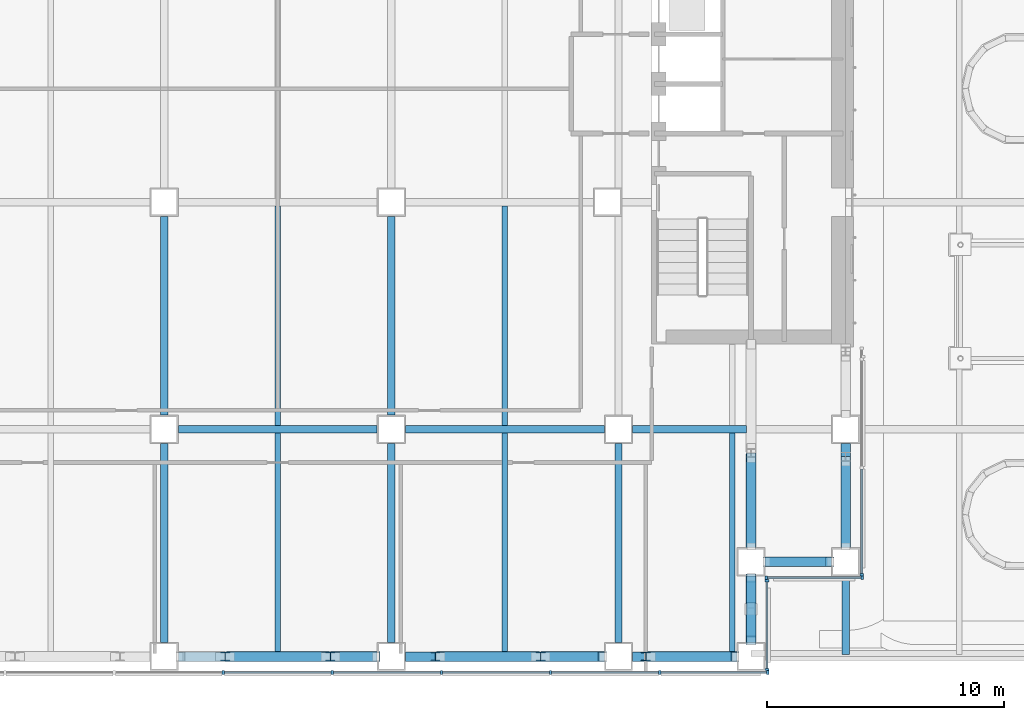
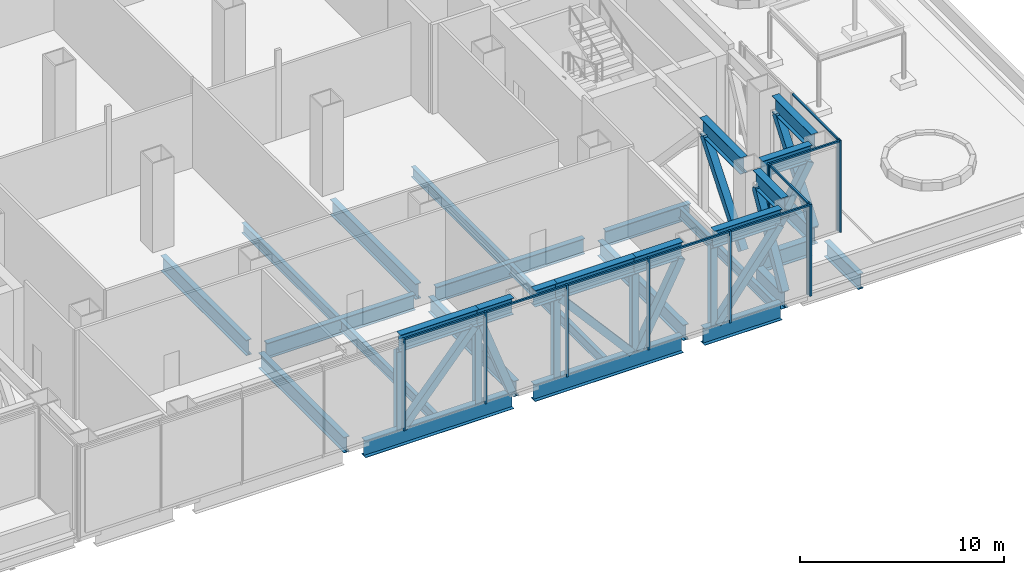
# One storey, part 9 of 39: 51 members, 14 beams, 4 elements without a shape of their own.
"""IFC4 building model written with IfcOpenShell, lengths in metres."""

from ifc_helpers import new_model, si_unit, direction, frame, origin, origin_2d, place, context, subcontext, project, spatial, rectangle, hollow_rectangle, i_section, extrude, material, material_profile, profile_set, type_object, element, aggregate, save


model = new_model("IFC4")

# Units and contexts
model_context = context("Model", 3, precision=1e-05, world=origin(), true_north=direction((0.0, 1.0)))
body_context = subcontext(model_context, "Body", "Model", "MODEL_VIEW")
ifc_project = project(units=[si_unit("LENGTHUNIT", "METRE"), si_unit("AREAUNIT", "SQUARE_METRE"), si_unit("VOLUMEUNIT", "CUBIC_METRE"), si_unit("PLANEANGLEUNIT", "RADIAN"), si_unit("MASSUNIT", "GRAM", prefix="KILO")], contexts=[model_context])

# Site, building, storey
site_placement = place(None, origin())
site = spatial("IfcSite", under=ifc_project, at=site_placement, CompositionType="ELEMENT")
building_placement = place(site_placement, origin())
building = spatial("IfcBuilding", under=site, at=building_placement, Name="Cobrizo Arcos Hotel Tower", CompositionType="ELEMENT")
storey_placement = place(building_placement, frame((0.0, 0.0, 33.5)))
storey = spatial("IfcBuildingStorey", under=building, at=storey_placement, Name="L06", CompositionType="ELEMENT", Elevation=33.5)

# Curtain wall, members
ifc_material_1 = material(Name="Aluminium 6063-T6 anodised bronze", Category="aluminium")
curtain_wall_type = type_object("IfcCurtainWallType", Name="CW-D plant louvre wall", PredefinedType="NOTDEFINED", material=ifc_material_1)
curtain_wall_1_placement = place(storey_placement, origin())
curtain_wall_1 = element("IfcCurtainWall", 1, at=curtain_wall_1_placement, inside=storey, type_object=curtain_wall_type, Name="CW-D L06 S face", PredefinedType="NOTDEFINED")
ifc_material_profile_1 = material_profile(ifc_material_1, rectangle(XDim=0.14990234375, YDim=0.10009765625, at=origin_2d()), Name="CW-D mullion 150x100")
ifc_profile_set_1 = profile_set([ifc_material_profile_1], Name="Aluminium 6063-T6 anodised bronze")
member_type_1 = type_object("IfcMemberType", Name="CW-D mullion 150x100", PredefinedType="MULLION", material=ifc_profile_set_1)
member_1_placement = place(storey_placement, frame((-2.3056640625, -24.675048828125, 0.0), z_axis=(0.0, 0.0, 1.0), x_axis=(0.0, -1.0, 0.0)))
member_1 = element("IfcMember", 2, at=member_1_placement, type_object=member_type_1, Name="CW-D mullion 5", PredefinedType="MULLION", context=body_context, shape_type="SweptSolid", body=[
    extrude(rectangle(XDim=0.14990234375, YDim=0.10009765625, at=origin_2d()), origin(), (0.0, 0.0, 1.0), 5.5),
])
member_2_placement = place(storey_placement, frame((2.3056640625, -24.675048828125, 0.0), z_axis=(0.0, 0.0, 1.0), x_axis=(0.0, -1.0, 0.0)))
member_2 = element("IfcMember", 3, at=member_2_placement, type_object=member_type_1, Name="CW-D mullion 6", PredefinedType="MULLION", context=body_context, shape_type="SweptSolid", body=[
    extrude(rectangle(XDim=0.14990234375, YDim=0.10009765625, at=origin_2d()), origin(), (0.0, 0.0, 1.0), 5.5),
])
member_3_placement = place(storey_placement, frame((6.916748046875, -24.675048828125, 0.0), z_axis=(0.0, 0.0, 1.0), x_axis=(0.0, -1.0, 0.0)))
member_3 = element("IfcMember", 4, at=member_3_placement, type_object=member_type_1, Name="CW-D mullion 7", PredefinedType="MULLION", context=body_context, shape_type="SweptSolid", body=[
    extrude(rectangle(XDim=0.14990234375, YDim=0.10009765625, at=origin_2d()), origin(), (0.0, 0.0, 1.0), 5.5),
])
member_4_placement = place(storey_placement, frame((11.52783203125, -24.675048828125, 0.0), z_axis=(0.0, 0.0, 1.0), x_axis=(0.0, -1.0, 0.0)))
member_4 = element("IfcMember", 5, at=member_4_placement, type_object=member_type_1, Name="CW-D mullion 8", PredefinedType="MULLION", context=body_context, shape_type="SweptSolid", body=[
    extrude(rectangle(XDim=0.14990234375, YDim=0.10009765625, at=origin_2d()), origin(), (0.0, 0.0, 1.0), 5.5),
])
member_5_placement = place(storey_placement, frame((16.138916015625, -24.675048828125, 0.0), z_axis=(0.0, 0.0, 1.0), x_axis=(0.0, -1.0, 0.0)))
member_5 = element("IfcMember", 6, at=member_5_placement, type_object=member_type_1, Name="CW-D mullion 9", PredefinedType="MULLION", context=body_context, shape_type="SweptSolid", body=[
    extrude(rectangle(XDim=0.14990234375, YDim=0.10009765625, at=origin_2d()), origin(), (0.0, 0.0, 1.0), 5.5),
])
member_6_placement = place(storey_placement, frame((20.699951171875, -24.675048828125, 0.0), z_axis=(0.0, 0.0, 1.0), x_axis=(0.0, -1.0, 0.0)))
member_6 = element("IfcMember", 7, at=member_6_placement, type_object=member_type_1, Name="CW-D mullion 10", PredefinedType="MULLION", context=body_context, shape_type="SweptSolid", body=[
    extrude(rectangle(XDim=0.14990234375, YDim=0.10009765625, at=origin_2d()), origin(), (0.0, 0.0, 1.0), 5.5),
])

curtain_wall_2_placement = place(storey_placement, origin())
curtain_wall_2 = element("IfcCurtainWall", 8, at=curtain_wall_2_placement, inside=storey, type_object=curtain_wall_type, Name="CW-D L06 E face", PredefinedType="NOTDEFINED")
member_7_placement = place(storey_placement, frame((20.675048828125, -24.550048828125, 0.0), z_axis=(0.0, 0.0, 1.0), x_axis=(1.0, 0.0, 0.0)))
member_7 = element("IfcMember", 9, at=member_7_placement, type_object=member_type_1, Name="CW-D mullion 1", PredefinedType="MULLION", context=body_context, shape_type="SweptSolid", body=[
    extrude(rectangle(XDim=0.14990234375, YDim=0.10009765625, at=origin_2d()), origin(), (0.0, 0.0, 1.0), 5.5),
])
member_8_placement = place(storey_placement, frame((20.675048828125, -20.800048828125, 0.0), z_axis=(0.0, 0.0, 1.0), x_axis=(1.0, 0.0, 0.0)))
member_8 = element("IfcMember", 10, at=member_8_placement, type_object=member_type_1, Name="CW-D mullion 2", PredefinedType="MULLION", context=body_context, shape_type="SweptSolid", body=[
    extrude(rectangle(XDim=0.14990234375, YDim=0.10009765625, at=origin_2d()), origin(), (0.0, 0.0, 1.0), 5.5),
])

curtain_wall_3_placement = place(storey_placement, origin())
curtain_wall_3 = element("IfcCurtainWall", 11, at=curtain_wall_3_placement, inside=storey, type_object=curtain_wall_type, Name="CW-D L06 S face", PredefinedType="NOTDEFINED")
member_9_placement = place(storey_placement, frame((20.64990234375, -20.675048828125, 0.0), z_axis=(0.0, 0.0, 1.0), x_axis=(0.0, -1.0, 0.0)))
member_9 = element("IfcMember", 12, at=member_9_placement, type_object=member_type_1, Name="CW-D mullion 1", PredefinedType="MULLION", context=body_context, shape_type="SweptSolid", body=[
    extrude(rectangle(XDim=0.14990234375, YDim=0.10009765625, at=origin_2d()), origin(), (0.0, 0.0, 1.0), 5.5),
])
member_10_placement = place(storey_placement, frame((24.699951171875, -20.675048828125, 0.0), z_axis=(0.0, 0.0, 1.0), x_axis=(0.0, -1.0, 0.0)))
member_10 = element("IfcMember", 13, at=member_10_placement, type_object=member_type_1, Name="CW-D mullion 2", PredefinedType="MULLION", context=body_context, shape_type="SweptSolid", body=[
    extrude(rectangle(XDim=0.14990234375, YDim=0.10009765625, at=origin_2d()), origin(), (0.0, 0.0, 1.0), 5.5),
])

# Curtain wall, member
curtain_wall_4_placement = place(storey_placement, origin())
curtain_wall_4 = element("IfcCurtainWall", 14, at=curtain_wall_4_placement, inside=storey, type_object=curtain_wall_type, Name="CW-D L06 E face", PredefinedType="NOTDEFINED")
member_11_placement = place(storey_placement, frame((24.675048828125, -20.550048828125, 0.0), z_axis=(0.0, 0.0, 1.0), x_axis=(1.0, 0.0, 0.0)))
member_11 = element("IfcMember", 15, at=member_11_placement, type_object=member_type_1, Name="CW-D mullion 1", PredefinedType="MULLION", context=body_context, shape_type="SweptSolid", body=[
    extrude(rectangle(XDim=0.14990234375, YDim=0.10009765625, at=origin_2d()), origin(), (0.0, 0.0, 1.0), 5.5),
])

# Member
ifc_material_profile_2 = material_profile(ifc_material_1, rectangle(XDim=0.10009765625, YDim=0.10009765625, at=origin_2d()), Name="CW-D transom 100x100")
ifc_profile_set_2 = profile_set([ifc_material_profile_2], Name="Aluminium 6063-T6 anodised bronze")
member_type_2 = type_object("IfcMemberType", Name="CW-D transom 100x100", PredefinedType="USERDEFINED", material=ifc_profile_set_2)
member_12_placement = place(storey_placement, frame((-2.255615234375, -24.675048828125, 5.449951171875), z_axis=(1.0, 0.0, 0.0), x_axis=(0.0, 1.0, 0.0)))
member_12 = element("IfcMember", 16, at=member_12_placement, type_object=member_type_2, Name="CW-D transom 327", ObjectType="TRANSOM", PredefinedType="USERDEFINED", context=body_context, shape_type="SweptSolid", body=[
    extrude(rectangle(XDim=0.10009765625, YDim=0.10009765625, at=origin_2d()), origin(), (0.0, 0.0, 1.0), 4.51123046875),
])

member_13_placement = place(storey_placement, frame((2.35546875, -24.675048828125, 5.449951171875), z_axis=(1.0, 0.0, 0.0), x_axis=(0.0, 1.0, 0.0)))
member_13 = element("IfcMember", 17, at=member_13_placement, type_object=member_type_2, Name="CW-D transom 328", ObjectType="TRANSOM", PredefinedType="USERDEFINED", context=body_context, shape_type="SweptSolid", body=[
    extrude(rectangle(XDim=0.10009765625, YDim=0.10009765625, at=origin_2d()), origin(), (0.0, 0.0, 1.0), 4.51123046875),
])

member_14_placement = place(storey_placement, frame((6.966552734375, -24.675048828125, 5.449951171875), z_axis=(1.0, 0.0, 0.0), x_axis=(0.0, 1.0, 0.0)))
member_14 = element("IfcMember", 18, at=member_14_placement, type_object=member_type_2, Name="CW-D transom 329", ObjectType="TRANSOM", PredefinedType="USERDEFINED", context=body_context, shape_type="SweptSolid", body=[
    extrude(rectangle(XDim=0.10009765625, YDim=0.10009765625, at=origin_2d()), origin(), (0.0, 0.0, 1.0), 4.51123046875),
])

member_15_placement = place(storey_placement, frame((11.577880859375, -24.675048828125, 5.449951171875), z_axis=(1.0, 0.0, 0.0), x_axis=(0.0, 1.0, 0.0)))
member_15 = element("IfcMember", 19, at=member_15_placement, type_object=member_type_2, Name="CW-D transom 330", ObjectType="TRANSOM", PredefinedType="USERDEFINED", context=body_context, shape_type="SweptSolid", body=[
    extrude(rectangle(XDim=0.10009765625, YDim=0.10009765625, at=origin_2d()), origin(), (0.0, 0.0, 1.0), 4.510986328125),
])

member_16_placement = place(storey_placement, frame((16.18896484375, -24.675048828125, 5.449951171875), z_axis=(1.0, 0.0, 0.0), x_axis=(0.0, 1.0, 0.0)))
member_16 = element("IfcMember", 20, at=member_16_placement, type_object=member_type_2, Name="CW-D transom 331", ObjectType="TRANSOM", PredefinedType="USERDEFINED", context=body_context, shape_type="SweptSolid", body=[
    extrude(rectangle(XDim=0.10009765625, YDim=0.10009765625, at=origin_2d()), origin(), (0.0, 0.0, 1.0), 4.4609375),
])

aggregate(curtain_wall_1, [member_1, member_2, member_3, member_4, member_5, member_6, member_12, member_13, member_14, member_15, member_16])

member_17_placement = place(storey_placement, frame((20.675048828125, -24.5, 5.449951171875), z_axis=(0.0, 1.0, 0.0), x_axis=(-1.0, 0.0, 0.0)))
member_17 = element("IfcMember", 21, at=member_17_placement, type_object=member_type_2, Name="CW-D transom 332", ObjectType="TRANSOM", PredefinedType="USERDEFINED", context=body_context, shape_type="SweptSolid", body=[
    extrude(rectangle(XDim=0.10009765625, YDim=0.10009765625, at=origin_2d()), origin(), (0.0, 0.0, 1.0), 3.64990234375),
])

aggregate(curtain_wall_2, [member_7, member_8, member_17])

member_18_placement = place(storey_placement, frame((20.699951171875, -20.675048828125, 5.449951171875), z_axis=(1.0, 0.0, 0.0), x_axis=(0.0, 1.0, 0.0)))
member_18 = element("IfcMember", 22, at=member_18_placement, type_object=member_type_2, Name="CW-D transom 333", ObjectType="TRANSOM", PredefinedType="USERDEFINED", context=body_context, shape_type="SweptSolid", body=[
    extrude(rectangle(XDim=0.10009765625, YDim=0.10009765625, at=origin_2d()), origin(), (0.0, 0.0, 1.0), 3.949951171875),
])

aggregate(curtain_wall_3, [member_9, member_10, member_18])

member_19_placement = place(storey_placement, frame((24.675048828125, -20.5, 5.449951171875), z_axis=(0.0, 1.0, 0.0), x_axis=(-1.0, 0.0, 0.0)))
member_19 = element("IfcMember", 23, at=member_19_placement, type_object=member_type_2, Name="CW-D transom 334", ObjectType="TRANSOM", PredefinedType="USERDEFINED", context=body_context, shape_type="SweptSolid", body=[
    extrude(rectangle(XDim=0.10009765625, YDim=0.10009765625, at=origin_2d()), origin(), (0.0, 0.0, 1.0), 4.427734375),
])

aggregate(curtain_wall_4, [member_11, member_19])

# Members
ifc_material_2 = material(Name="Steel ASTM A500 Grade C", Category="steel")
ifc_material_profile_3 = material_profile(ifc_material_2, hollow_rectangle(XDim=0.406494140625, YDim=0.406494140625, WallThickness=0.014892578125, at=origin_2d()), Name="HSS16X16X5/8")
ifc_profile_set_3 = profile_set([ifc_material_profile_3], Name="Steel ASTM A500 Grade C")
member_type_3 = type_object("IfcMemberType", Name="HSS16X16X5/8 truss diagonal", PredefinedType="BRACE", material=ifc_profile_set_3)
member_20_placement = place(storey_placement, frame((-2.02197265625, -24.0, -0.300048828125), z_axis=(0.655465194601, 0.0, 0.755225382695), x_axis=(0.0, 1.0, 0.0)))
element("IfcMember", 24, at=member_20_placement, inside=storey, type_object=member_type_3, Name="Belt truss diagonal TD1, L06, no. 005", PredefinedType="BRACE", context=body_context, shape_type="SweptSolid", body=[
    extrude(hollow_rectangle(XDim=0.406494140625, YDim=0.406494140625, WallThickness=0.014892578125, at=origin_2d()), origin(), (0.0, 0.0, 1.0), 6.169677734375),
])
member_21_placement = place(storey_placement, frame((2.422119140625, -24.0, 4.359375), z_axis=(0.342395189483, 0.0, -0.939556030378), x_axis=(0.0, 1.0, 0.0)))
element("IfcMember", 25, at=member_21_placement, inside=storey, type_object=member_type_3, Name="Belt truss diagonal TD1, L06, no. 006", PredefinedType="BRACE", context=body_context, shape_type="SweptSolid", body=[
    extrude(hollow_rectangle(XDim=0.406494140625, YDim=0.406494140625, WallThickness=0.014892578125, at=origin_2d()), origin(), (0.0, 0.0, 1.0), 4.959228515625),
])
member_22_placement = place(storey_placement, frame((6.866943359375, -24.0, 4.359375), z_axis=(0.655465194601, 0.0, -0.755225382695), x_axis=(0.0, 1.0, 0.0)))
element("IfcMember", 26, at=member_22_placement, inside=storey, type_object=member_type_3, Name="Belt truss diagonal TD1, L06, no. 007", PredefinedType="BRACE", context=body_context, shape_type="SweptSolid", body=[
    extrude(hollow_rectangle(XDim=0.406494140625, YDim=0.406494140625, WallThickness=0.014892578125, at=origin_2d()), origin(), (0.0, 0.0, 1.0), 6.169677734375),
])
member_23_placement = place(storey_placement, frame((11.31103515625, -24.0, -0.300048828125), z_axis=(0.45925576927, 0.0, 0.888304079914), x_axis=(0.0, 1.0, 0.0)))
element("IfcMember", 27, at=member_23_placement, inside=storey, type_object=member_type_3, Name="Belt truss diagonal TD1, L06, no. 008", PredefinedType="BRACE", context=body_context, shape_type="SweptSolid", body=[
    extrude(hollow_rectangle(XDim=0.406494140625, YDim=0.406494140625, WallThickness=0.014892578125, at=origin_2d()), origin(), (0.0, 0.0, 1.0), 5.245361328125),
])
member_24_placement = place(storey_placement, frame((15.756103515625, -24.0, -0.300048828125), z_axis=(0.607544335185, 0.0, 0.794285767709), x_axis=(0.0, 1.0, 0.0)))
element("IfcMember", 28, at=member_24_placement, inside=storey, type_object=member_type_3, Name="Belt truss diagonal TD1, L06, no. 009", PredefinedType="BRACE", context=body_context, shape_type="SweptSolid", body=[
    extrude(hollow_rectangle(XDim=0.406494140625, YDim=0.406494140625, WallThickness=0.014892578125, at=origin_2d()), origin(), (0.0, 0.0, 1.0), 5.8662109375),
])
for number, where, z_axis, x_axis, name in (
    (29, (20.0, -23.320068359375, -0.300048828125), (0.0, 0.492983815895, 0.870038480336), (-1.0, 0.0, 0.0), "Belt truss diagonal TD1, L06, no. 010"),
    (30, (20.679931640625, -20.0, -0.300048828125), (0.492983815895, 0.0, 0.870038480336), (0.0, 1.0, 0.0), "Belt truss diagonal TD1, L06, no. 011"),
):
    element("IfcMember", number, at=place(storey_placement, frame(where, z_axis=z_axis, x_axis=x_axis)), inside=storey, type_object=member_type_3, Name=name, PredefinedType="BRACE", context=body_context, shape_type="SweptSolid", body=[
        extrude(hollow_rectangle(XDim=0.406494140625, YDim=0.406494140625, WallThickness=0.014892578125, at=origin_2d()), origin(), (0.0, 0.0, 1.0), 5.35546875),
    ])
member_25_placement = place(storey_placement, frame((24.0, -19.320068359375, -0.300048828125), z_axis=(0.0, 0.607544335185, 0.794285767709), x_axis=(-1.0, 0.0, 0.0)))
element("IfcMember", 31, at=member_25_placement, inside=storey, type_object=member_type_3, Name="Belt truss diagonal TD1, L06, no. 012", PredefinedType="BRACE", context=body_context, shape_type="SweptSolid", body=[
    extrude(hollow_rectangle(XDim=0.406494140625, YDim=0.406494140625, WallThickness=0.014892578125, at=origin_2d()), origin(), (0.0, 0.0, 1.0), 5.8662109375),
])
member_26_placement = place(storey_placement, frame((20.0, -15.60009765625, 4.359375), z_axis=(0.0, -0.623920728492, -0.781487635576), x_axis=(1.0, 0.0, 0.0)))
element("IfcMember", 32, at=member_26_placement, inside=storey, type_object=member_type_3, Name="Outrigger diagonal TD1, L06, no. 002", PredefinedType="BRACE", context=body_context, shape_type="SweptSolid", body=[
    extrude(hollow_rectangle(XDim=0.406494140625, YDim=0.406494140625, WallThickness=0.014892578125, at=origin_2d()), origin(), (0.0, 0.0, 1.0), 5.962158203125),
])
for number, where, z_axis, x_axis, name in (
    (33, (20.0, -20.679931640625, -0.300048828125), (0.0, -0.492975174057, 0.870043376944), (1.0, 0.0, 0.0), "Outrigger diagonal TD1, L06, no. 003"),
    (34, (20.0, -22.10205078125, 2.209716796875), (0.0, -0.492975174057, 0.870043376944), (1.0, 0.0, 0.0), "Outrigger diagonal TD1, L06, no. 003b"),
):
    element("IfcMember", number, at=place(storey_placement, frame(where, z_axis=z_axis, x_axis=x_axis)), inside=storey, type_object=member_type_3, Name=name, PredefinedType="BRACE", context=body_context, shape_type="SweptSolid", body=[
        extrude(hollow_rectangle(XDim=0.406494140625, YDim=0.406494140625, WallThickness=0.014892578125, at=origin_2d()), origin(), (0.0, 0.0, 1.0), 2.470703125),
    ])
ifc_material_3 = material(Name="Steel ASTM A992 Grade 50", Category="steel")
ifc_material_profile_4 = material_profile(ifc_material_3, i_section(OverallWidth=0.373291015625, OverallDepth=0.373291015625, WebThickness=0.016357421875, FlangeThickness=0.026123046875, at=origin_2d()), Name="W14X132")
ifc_profile_set_4 = profile_set([ifc_material_profile_4], Name="Steel ASTM A992 Grade 50")
member_type_4 = type_object("IfcMemberType", Name="W14X132 truss post", PredefinedType="POST", material=ifc_profile_set_4)
for number, where, z_axis, x_axis, name in (
    (35, (-2.221923828125, -24.0, -0.300048828125), (0.0, 0.0, 1.0), (1.0, 0.0, 0.0), "Truss post TP1, L06, no. 004"),
    (36, (2.221923828125, -24.0, -0.300048828125), (0.0, 0.0, 1.0), (1.0, 0.0, 0.0), "Truss post TP1, L06, no. 005"),
    (37, (6.6669921875, -24.0, -0.300048828125), (0.0, 0.0, 1.0), (1.0, 0.0, 0.0), "Truss post TP1, L06, no. 006"),
    (38, (11.111083984375, -24.0, -0.300048828125), (0.0, 0.0, 1.0), (1.0, 0.0, 0.0), "Truss post TP1, L06, no. 007"),
    (39, (15.555908203125, -24.0, -0.300048828125), (0.0, 0.0, 1.0), (1.0, 0.0, 0.0), "Truss post TP1, L06, no. 008"),
):
    element("IfcMember", number, at=place(storey_placement, frame(where, z_axis=z_axis, x_axis=x_axis)), inside=storey, type_object=member_type_4, Name=name, PredefinedType="POST", context=body_context, shape_type="SweptSolid", body=[
        extrude(i_section(OverallWidth=0.373291015625, OverallDepth=0.373291015625, WebThickness=0.016357421875, FlangeThickness=0.026123046875, at=origin_2d()), origin(), (0.0, 0.0, 1.0), 4.659423828125),
    ])

# Beams
ifc_material_profile_5 = material_profile(ifc_material_3, i_section(OverallWidth=0.23046875, OverallDepth=0.6171875, WebThickness=0.01318359375, FlangeThickness=0.022216796875, at=origin_2d()), Name="W24X94")
ifc_profile_set_5 = profile_set([ifc_material_profile_5], Name="Steel ASTM A992 Grade 50")
beam_type_1 = type_object("IfcBeamType", Name="W24X94 podium joist", PredefinedType="JOIST", material=ifc_profile_set_5)
beam_1_placement = place(storey_placement, frame((0.0, -23.799560546875, -0.608642578125), z_axis=(0.0, 1.0, 0.0), x_axis=(-1.0, 0.0, 0.0)))
element("IfcBeam", 40, at=beam_1_placement, inside=storey, type_object=beam_type_1, Name="Podium joist PJ1, L06, no. 015", PredefinedType="JOIST", context=body_context, shape_type="SweptSolid", body=[
    extrude(i_section(OverallWidth=0.23046875, OverallDepth=0.6171875, WebThickness=0.01318359375, FlangeThickness=0.022216796875, at=origin_2d()), origin(), (0.0, 0.0, 1.0), 9.245849609375),
])
beam_2_placement = place(storey_placement, frame((0.0, -14.246337890625, -0.608642578125), z_axis=(0.0, 1.0, 0.0), x_axis=(-1.0, 0.0, 0.0)))
element("IfcBeam", 41, at=beam_2_placement, inside=storey, type_object=beam_type_1, Name="Podium joist PJ1, L06, no. 016", PredefinedType="JOIST", context=body_context, shape_type="SweptSolid", body=[
    extrude(i_section(OverallWidth=0.23046875, OverallDepth=0.6171875, WebThickness=0.01318359375, FlangeThickness=0.022216796875, at=origin_2d()), origin(), (0.0, 0.0, 1.0), 9.292724609375),
])
beam_3_placement = place(storey_placement, frame((9.60009765625, -23.799560546875, -0.608642578125), z_axis=(0.0, 1.0, 0.0), x_axis=(-1.0, 0.0, 0.0)))
element("IfcBeam", 42, at=beam_3_placement, inside=storey, type_object=beam_type_1, Name="Podium joist PJ1, L06, no. 020", PredefinedType="JOIST", context=body_context, shape_type="SweptSolid", body=[
    extrude(i_section(OverallWidth=0.23046875, OverallDepth=0.6171875, WebThickness=0.01318359375, FlangeThickness=0.022216796875, at=origin_2d()), origin(), (0.0, 0.0, 1.0), 9.245849609375),
])
beam_4_placement = place(storey_placement, frame((9.60009765625, -14.246337890625, -0.608642578125), z_axis=(0.0, 1.0, 0.0), x_axis=(-1.0, 0.0, 0.0)))
element("IfcBeam", 43, at=beam_4_placement, inside=storey, type_object=beam_type_1, Name="Podium joist PJ1, L06, no. 021", PredefinedType="JOIST", context=body_context, shape_type="SweptSolid", body=[
    extrude(i_section(OverallWidth=0.23046875, OverallDepth=0.6171875, WebThickness=0.01318359375, FlangeThickness=0.022216796875, at=origin_2d()), origin(), (0.0, 0.0, 1.0), 9.292724609375),
])
beam_5_placement = place(storey_placement, frame((19.199951171875, -23.799560546875, -0.608642578125), z_axis=(0.0, 1.0, 0.0), x_axis=(-1.0, 0.0, 0.0)))
element("IfcBeam", 44, at=beam_5_placement, inside=storey, type_object=beam_type_1, Name="Podium joist PJ1, L06, no. 025", PredefinedType="JOIST", context=body_context, shape_type="SweptSolid", body=[
    extrude(i_section(OverallWidth=0.23046875, OverallDepth=0.6171875, WebThickness=0.01318359375, FlangeThickness=0.022216796875, at=origin_2d()), origin(), (0.0, 0.0, 1.0), 9.245849609375),
])
ifc_material_profile_6 = material_profile(ifc_material_3, i_section(OverallWidth=0.307373046875, OverallDepth=0.927001953125, WebThickness=0.01953125, FlangeThickness=0.031982421875, at=origin_2d()), Name="W36X194")
ifc_profile_set_6 = profile_set([ifc_material_profile_6], Name="Steel ASTM A992 Grade 50")
beam_type_2 = type_object("IfcBeamType", Name="W36X194 podium girder", PredefinedType="BEAM", material=ifc_profile_set_6)
beam_6_placement = place(storey_placement, frame((-4.199951171875, -14.39990234375, -0.763427734375), z_axis=(1.0, 0.0, 0.0), x_axis=(0.0, 1.0, 0.0)))
element("IfcBeam", 45, at=beam_6_placement, inside=storey, type_object=beam_type_2, Name="Podium girder PG1, L06, no. 006", PredefinedType="BEAM", context=body_context, shape_type="SweptSolid", body=[
    extrude(i_section(OverallWidth=0.307373046875, OverallDepth=0.927001953125, WebThickness=0.01953125, FlangeThickness=0.031982421875, at=origin_2d()), origin(), (0.0, 0.0, 1.0), 8.39990234375),
])
beam_7_placement = place(storey_placement, frame((5.39990234375, -14.39990234375, -0.763427734375), z_axis=(1.0, 0.0, 0.0), x_axis=(0.0, 1.0, 0.0)))
element("IfcBeam", 46, at=beam_7_placement, inside=storey, type_object=beam_type_2, Name="Podium girder PG1, L06, no. 007", PredefinedType="BEAM", context=body_context, shape_type="SweptSolid", body=[
    extrude(i_section(OverallWidth=0.307373046875, OverallDepth=0.927001953125, WebThickness=0.01953125, FlangeThickness=0.031982421875, at=origin_2d()), origin(), (0.0, 0.0, 1.0), 8.400146484375),
])
beam_8_placement = place(storey_placement, frame((15.0, -14.39990234375, -0.763427734375), z_axis=(1.0, 0.0, 0.0), x_axis=(0.0, 1.0, 0.0)))
element("IfcBeam", 47, at=beam_8_placement, inside=storey, type_object=beam_type_2, Name="Podium girder PG1, L06, no. 008", PredefinedType="BEAM", context=body_context, shape_type="SweptSolid", body=[
    extrude(i_section(OverallWidth=0.307373046875, OverallDepth=0.927001953125, WebThickness=0.01953125, FlangeThickness=0.031982421875, at=origin_2d()), origin(), (0.0, 0.0, 1.0), 4.799560546875),
])
beam_9_placement = place(storey_placement, frame((-4.800048828125, -23.39990234375, -0.763427734375), z_axis=(0.0, 1.0, 0.0), x_axis=(-1.0, 0.0, 0.0)))
element("IfcBeam", 48, at=beam_9_placement, inside=storey, type_object=beam_type_2, Name="Podium girder PG1, L06, no. 051", PredefinedType="BEAM", context=body_context, shape_type="SweptSolid", body=[
    extrude(i_section(OverallWidth=0.307373046875, OverallDepth=0.927001953125, WebThickness=0.01953125, FlangeThickness=0.031982421875, at=origin_2d()), origin(), (0.0, 0.0, 1.0), 8.39990234375),
])
beam_10_placement = place(storey_placement, frame((-4.800048828125, -13.800048828125, -0.763427734375), z_axis=(0.0, 1.0, 0.0), x_axis=(-1.0, 0.0, 0.0)))
element("IfcBeam", 49, at=beam_10_placement, inside=storey, type_object=beam_type_2, Name="Podium girder PG1, L06, no. 052", PredefinedType="BEAM", context=body_context, shape_type="SweptSolid", body=[
    extrude(i_section(OverallWidth=0.307373046875, OverallDepth=0.927001953125, WebThickness=0.01953125, FlangeThickness=0.031982421875, at=origin_2d()), origin(), (0.0, 0.0, 1.0), 8.400146484375),
])
beam_11_placement = place(storey_placement, frame((4.800048828125, -23.39990234375, -0.763427734375), z_axis=(0.0, 1.0, 0.0), x_axis=(-1.0, 0.0, 0.0)))
element("IfcBeam", 50, at=beam_11_placement, inside=storey, type_object=beam_type_2, Name="Podium girder PG1, L06, no. 056", PredefinedType="BEAM", context=body_context, shape_type="SweptSolid", body=[
    extrude(i_section(OverallWidth=0.307373046875, OverallDepth=0.927001953125, WebThickness=0.01953125, FlangeThickness=0.031982421875, at=origin_2d()), origin(), (0.0, 0.0, 1.0), 8.39990234375),
])
beam_12_placement = place(storey_placement, frame((4.800048828125, -13.800048828125, -0.763427734375), z_axis=(0.0, 1.0, 0.0), x_axis=(-1.0, 0.0, 0.0)))
element("IfcBeam", 51, at=beam_12_placement, inside=storey, type_object=beam_type_2, Name="Podium girder PG1, L06, no. 057", PredefinedType="BEAM", context=body_context, shape_type="SweptSolid", body=[
    extrude(i_section(OverallWidth=0.307373046875, OverallDepth=0.927001953125, WebThickness=0.01953125, FlangeThickness=0.031982421875, at=origin_2d()), origin(), (0.0, 0.0, 1.0), 8.400146484375),
])
beam_13_placement = place(storey_placement, frame((14.39990234375, -23.39990234375, -0.763427734375), z_axis=(0.0, 1.0, 0.0), x_axis=(-1.0, 0.0, 0.0)))
element("IfcBeam", 52, at=beam_13_placement, inside=storey, type_object=beam_type_2, Name="Podium girder PG1, L06, no. 061", PredefinedType="BEAM", context=body_context, shape_type="SweptSolid", body=[
    extrude(i_section(OverallWidth=0.307373046875, OverallDepth=0.927001953125, WebThickness=0.01953125, FlangeThickness=0.031982421875, at=origin_2d()), origin(), (0.0, 0.0, 1.0), 8.39990234375),
])
beam_14_placement = place(storey_placement, frame((24.0, -23.909912109375, -0.763427734375), z_axis=(0.0, 1.0, 0.0), x_axis=(-1.0, 0.0, 0.0)))
element("IfcBeam", 53, at=beam_14_placement, inside=storey, type_object=beam_type_2, Name="Podium girder PG1, L06, no. 066", PredefinedType="BEAM", context=body_context, shape_type="SweptSolid", body=[
    extrude(i_section(OverallWidth=0.307373046875, OverallDepth=0.927001953125, WebThickness=0.01953125, FlangeThickness=0.031982421875, at=origin_2d()), origin(), (0.0, 0.0, 1.0), 3.309814453125),
])

# Members
ifc_material_profile_7 = material_profile(ifc_material_3, i_section(OverallWidth=0.4013671875, OverallDepth=0.990478515625, WebThickness=0.0166015625, FlangeThickness=0.025390625, at=origin_2d()), Name="W40X215")
ifc_profile_set_7 = profile_set([ifc_material_profile_7], Name="Steel ASTM A992 Grade 50")
member_type_5 = type_object("IfcMemberType", Name="W40X215 belt truss chord", PredefinedType="CHORD", material=ifc_profile_set_7)
member_27_placement = place(storey_placement, frame((-4.199951171875, -24.0, -0.79541015625), z_axis=(1.0, 0.0, 0.0), x_axis=(0.0, 1.0, 0.0)))
element("IfcMember", 54, at=member_27_placement, inside=storey, type_object=member_type_5, Name="Belt truss bottom chord TC1, L06, no. 003", PredefinedType="CHORD", context=body_context, shape_type="SweptSolid", body=[
    extrude(i_section(OverallWidth=0.4013671875, OverallDepth=0.990478515625, WebThickness=0.0166015625, FlangeThickness=0.025390625, at=origin_2d()), origin(), (0.0, 0.0, 1.0), 8.39990234375),
])
member_28_placement = place(storey_placement, frame((5.39990234375, -24.0, -0.79541015625), z_axis=(1.0, 0.0, 0.0), x_axis=(0.0, 1.0, 0.0)))
element("IfcMember", 55, at=member_28_placement, inside=storey, type_object=member_type_5, Name="Belt truss bottom chord TC1, L06, no. 004", PredefinedType="CHORD", context=body_context, shape_type="SweptSolid", body=[
    extrude(i_section(OverallWidth=0.4013671875, OverallDepth=0.990478515625, WebThickness=0.0166015625, FlangeThickness=0.025390625, at=origin_2d()), origin(), (0.0, 0.0, 1.0), 8.400146484375),
])
member_29_placement = place(storey_placement, frame((15.0, -24.0, -0.79541015625), z_axis=(1.0, 0.0, 0.0), x_axis=(0.0, 1.0, 0.0)))
element("IfcMember", 56, at=member_29_placement, inside=storey, type_object=member_type_5, Name="Belt truss bottom chord TC1, L06, no. 005", PredefinedType="CHORD", context=body_context, shape_type="SweptSolid", body=[
    extrude(i_section(OverallWidth=0.4013671875, OverallDepth=0.990478515625, WebThickness=0.0166015625, FlangeThickness=0.025390625, at=origin_2d()), origin(), (0.0, 0.0, 1.0), 4.39990234375),
])
member_30_placement = place(storey_placement, frame((-2.221923828125, -24.0, 4.854736328125), z_axis=(1.0, 0.0, 0.0), x_axis=(0.0, 1.0, 0.0)))
element("IfcMember", 57, at=member_30_placement, inside=storey, type_object=member_type_5, Name="Belt truss top chord TC1, L06, no. 006", PredefinedType="CHORD", context=body_context, shape_type="SweptSolid", body=[
    extrude(i_section(OverallWidth=0.4013671875, OverallDepth=0.990478515625, WebThickness=0.0166015625, FlangeThickness=0.025390625, at=origin_2d()), origin(), (0.0, 0.0, 1.0), 4.44384765625),
])
member_31_placement = place(storey_placement, frame((2.221923828125, -24.0, 4.854736328125), z_axis=(1.0, 0.0, 0.0), x_axis=(0.0, 1.0, 0.0)))
element("IfcMember", 58, at=member_31_placement, inside=storey, type_object=member_type_5, Name="Belt truss top chord TC1, L06, no. 007", PredefinedType="CHORD", context=body_context, shape_type="SweptSolid", body=[
    extrude(i_section(OverallWidth=0.4013671875, OverallDepth=0.990478515625, WebThickness=0.0166015625, FlangeThickness=0.025390625, at=origin_2d()), origin(), (0.0, 0.0, 1.0), 1.97802734375),
])
member_32_placement = place(storey_placement, frame((5.39990234375, -24.0, 4.854736328125), z_axis=(1.0, 0.0, 0.0), x_axis=(0.0, 1.0, 0.0)))
element("IfcMember", 59, at=member_32_placement, inside=storey, type_object=member_type_5, Name="Belt truss top chord TC1, L06, no. 008", PredefinedType="CHORD", context=body_context, shape_type="SweptSolid", body=[
    extrude(i_section(OverallWidth=0.4013671875, OverallDepth=0.990478515625, WebThickness=0.0166015625, FlangeThickness=0.025390625, at=origin_2d()), origin(), (0.0, 0.0, 1.0), 1.26708984375),
])
member_33_placement = place(storey_placement, frame((6.6669921875, -24.0, 4.854736328125), z_axis=(1.0, 0.0, 0.0), x_axis=(0.0, 1.0, 0.0)))
element("IfcMember", 60, at=member_33_placement, inside=storey, type_object=member_type_5, Name="Belt truss top chord TC1, L06, no. 009", PredefinedType="CHORD", context=body_context, shape_type="SweptSolid", body=[
    extrude(i_section(OverallWidth=0.4013671875, OverallDepth=0.990478515625, WebThickness=0.0166015625, FlangeThickness=0.025390625, at=origin_2d()), origin(), (0.0, 0.0, 1.0), 4.444091796875),
])
member_34_placement = place(storey_placement, frame((11.111083984375, -24.0, 4.854736328125), z_axis=(1.0, 0.0, 0.0), x_axis=(0.0, 1.0, 0.0)))
element("IfcMember", 61, at=member_34_placement, inside=storey, type_object=member_type_5, Name="Belt truss top chord TC1, L06, no. 010", PredefinedType="CHORD", context=body_context, shape_type="SweptSolid", body=[
    extrude(i_section(OverallWidth=0.4013671875, OverallDepth=0.990478515625, WebThickness=0.0166015625, FlangeThickness=0.025390625, at=origin_2d()), origin(), (0.0, 0.0, 1.0), 2.68896484375),
])
member_35_placement = place(storey_placement, frame((15.555908203125, -24.0, 4.854736328125), z_axis=(1.0, 0.0, 0.0), x_axis=(0.0, 1.0, 0.0)))
element("IfcMember", 62, at=member_35_placement, inside=storey, type_object=member_type_5, Name="Belt truss top chord TC1, L06, no. 011", PredefinedType="CHORD", context=body_context, shape_type="SweptSolid", body=[
    extrude(i_section(OverallWidth=0.4013671875, OverallDepth=0.990478515625, WebThickness=0.0166015625, FlangeThickness=0.025390625, at=origin_2d()), origin(), (0.0, 0.0, 1.0), 3.843994140625),
])
for number, where, z_axis, x_axis, name in (
    (63, (20.0, -23.39990234375, -0.79541015625), (0.0, 1.0, 0.0), (-1.0, 0.0, 0.0), "Belt truss bottom chord TC1, L06, no. 006"),
    (64, (20.0, -23.39990234375, 4.854736328125), (0.0, 1.0, 0.0), (-1.0, 0.0, 0.0), "Belt truss top chord TC1, L06, no. 012"),
    (65, (20.60009765625, -20.0, -0.79541015625), (1.0, 0.0, 0.0), (0.0, 1.0, 0.0), "Belt truss bottom chord TC1, L06, no. 007"),
    (66, (20.60009765625, -20.0, 4.854736328125), (1.0, 0.0, 0.0), (0.0, 1.0, 0.0), "Belt truss top chord TC1, L06, no. 013"),
):
    element("IfcMember", number, at=place(storey_placement, frame(where, z_axis=z_axis, x_axis=x_axis)), inside=storey, type_object=member_type_5, Name=name, PredefinedType="CHORD", context=body_context, shape_type="SweptSolid", body=[
        extrude(i_section(OverallWidth=0.4013671875, OverallDepth=0.990478515625, WebThickness=0.0166015625, FlangeThickness=0.025390625, at=origin_2d()), origin(), (0.0, 0.0, 1.0), 2.7998046875),
    ])
member_36_placement = place(storey_placement, frame((24.0, -19.39990234375, -0.79541015625), z_axis=(0.0, 1.0, 0.0), x_axis=(-1.0, 0.0, 0.0)))
element("IfcMember", 67, at=member_36_placement, inside=storey, type_object=member_type_5, Name="Belt truss bottom chord TC1, L06, no. 008", PredefinedType="CHORD", context=body_context, shape_type="SweptSolid", body=[
    extrude(i_section(OverallWidth=0.4013671875, OverallDepth=0.990478515625, WebThickness=0.0166015625, FlangeThickness=0.025390625, at=origin_2d()), origin(), (0.0, 0.0, 1.0), 4.39990234375),
])
member_37_placement = place(storey_placement, frame((24.0, -19.39990234375, 4.854736328125), z_axis=(0.0, 1.0, 0.0), x_axis=(-1.0, 0.0, 0.0)))
element("IfcMember", 68, at=member_37_placement, inside=storey, type_object=member_type_5, Name="Belt truss top chord TC1, L06, no. 014", PredefinedType="CHORD", context=body_context, shape_type="SweptSolid", body=[
    extrude(i_section(OverallWidth=0.4013671875, OverallDepth=0.990478515625, WebThickness=0.0166015625, FlangeThickness=0.025390625, at=origin_2d()), origin(), (0.0, 0.0, 1.0), 3.843994140625),
])
member_38_placement = place(storey_placement, frame((20.0, -15.39990234375, 4.854736328125), z_axis=(0.0, -1.0, 0.0), x_axis=(1.0, 0.0, 0.0)))
element("IfcMember", 69, at=member_38_placement, inside=storey, type_object=member_type_5, Name="Outrigger top chord TC1, L06, no. 002", PredefinedType="CHORD", context=body_context, shape_type="SweptSolid", body=[
    extrude(i_section(OverallWidth=0.4013671875, OverallDepth=0.990478515625, WebThickness=0.0166015625, FlangeThickness=0.025390625, at=origin_2d()), origin(), (0.0, 0.0, 1.0), 4.0),
])

save(model, "model.ifc")
